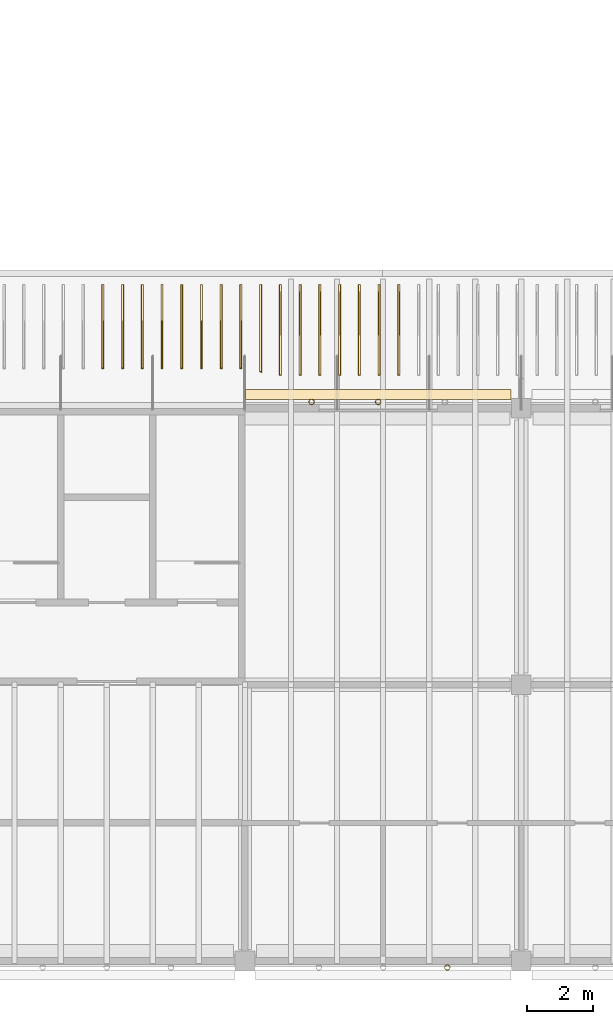
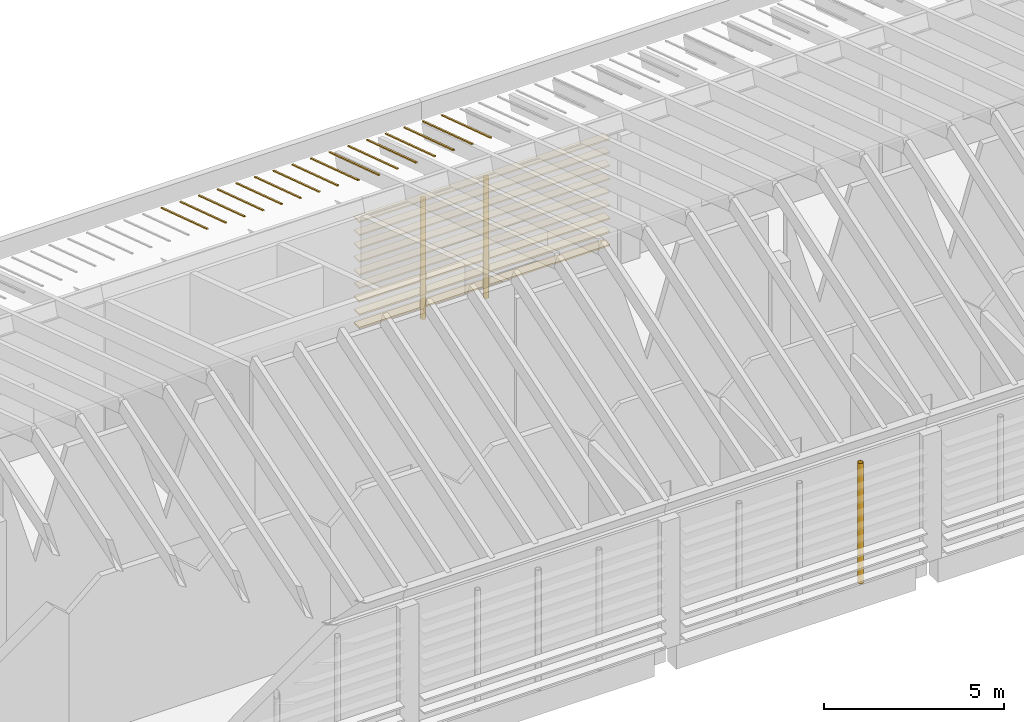
# One storey, part 43 of 59: 25 coverings, 3 shading devices.
"""IFC4 building model written with IfcOpenShell, lengths in metres."""

from ifc_helpers import new_model, si_unit, direction, frame, origin, origin_2d, place, context, subcontext, project, spatial, polyline, rectangle, hollow_circle, outline, extrude, material, layer, layer_set, material_profile, profile_set, type_object, element, save


model = new_model("IFC4")

# Units and contexts
model_context = context("Model", 3, precision=1e-05, world=origin(), true_north=direction((0.0, 1.0)))
body_context = subcontext(model_context, "Body", "Model", "MODEL_VIEW")
ifc_project = project(units=[si_unit("LENGTHUNIT", "METRE"), si_unit("AREAUNIT", "SQUARE_METRE"), si_unit("VOLUMEUNIT", "CUBIC_METRE"), si_unit("PLANEANGLEUNIT", "RADIAN"), si_unit("MASSUNIT", "GRAM", prefix="KILO")], contexts=[model_context])

# Site, building, storey
site_placement = place(None, origin())
site = spatial("IfcSite", under=ifc_project, at=site_placement, CompositionType="ELEMENT")
building_placement = place(site_placement, origin())
building = spatial("IfcBuilding", under=site, at=building_placement, Name="Almond Square Museum", CompositionType="ELEMENT")
storey_placement = place(building_placement, frame((0.0, 0.0, 25.0)))
storey = spatial("IfcBuildingStorey", under=building, at=storey_placement, Name="L04", CompositionType="ELEMENT", Elevation=25.0)

# Shading devices
ifc_material_1 = material(Name="Structural steel S355", Category="steel")
ifc_material_profile_1 = material_profile(ifc_material_1, hollow_circle(Radius=0.084228515625, WallThickness=0.008056640625, at=origin_2d()))
ifc_profile_set_1 = profile_set([ifc_material_profile_1], Name="Structural steel S355")
shading_device_type = type_object("IfcShadingDeviceType", Name="Louvre post CHS 168.3 x 8", PredefinedType="USERDEFINED", material=ifc_profile_set_1)
for number, where, z_axis, x_axis, name in (
    (1, (70.949951171875, -0.194091796875, 0.0), (0.0, 0.0, 1.0), (1.0, 0.0, 0.0), "Louvre screen post"),
    (2, (66.824951171875, 16.994140625, 0.0), (0.0, 0.0, 1.0), (1.0, 0.0, 0.0), "Louvre screen post"),
    (3, (68.85009765625, 16.994140625, 0.0), (0.0, 0.0, 1.0), (1.0, 0.0, 0.0), "Louvre screen post"),
):
    element("IfcShadingDevice", number, at=place(storey_placement, frame(where, z_axis=z_axis, x_axis=x_axis)), inside=storey, type_object=shading_device_type, Name=name, ObjectType="POST", PredefinedType="USERDEFINED", context=body_context, shape_type="SweptSolid", body=[
        extrude(hollow_circle(Radius=0.084228515625, WallThickness=0.008056640625, at=origin_2d()), origin(), (0.0, 0.0, 1.0), 4.08447265625),
    ])

# Coverings
ifc_material_2 = material(Name="Cedar timber louvre board", Category="wood")
ifc_material_profile_2 = material_profile(ifc_material_2, rectangle(XDim=0.300048828125, YDim=0.050048828125, at=origin_2d()))
ifc_profile_set_2 = profile_set([ifc_material_profile_2], Name="Cedar timber louvre board")
covering_type_1 = type_object("IfcCoveringType", Name="Louvre screen board 300 x 50", PredefinedType="CLADDING", material=ifc_profile_set_2)
for number, where, z_axis, x_axis, name in (
    (4, (64.820068359375, 17.224365234375, 0.300048828125), (1.0, 0.0, 0.0), (0.0, 1.0, 0.0), "Louvre screen board"),
    (5, (64.820068359375, 17.224365234375, 0.75), (1.0, 0.0, 0.0), (0.0, 1.0, 0.0), "Louvre screen board"),
    (6, (64.820068359375, 17.224365234375, 1.199951171875), (1.0, 0.0, 0.0), (0.0, 1.0, 0.0), "Louvre screen board"),
    (7, (64.820068359375, 17.224365234375, 1.64990234375), (1.0, 0.0, 0.0), (0.0, 1.0, 0.0), "Louvre screen board"),
    (8, (64.820068359375, 17.224365234375, 2.10009765625), (1.0, 0.0, 0.0), (0.0, 1.0, 0.0), "Louvre screen board"),
    (9, (64.820068359375, 17.224365234375, 2.550048828125), (1.0, 0.0, 0.0), (0.0, 1.0, 0.0), "Louvre screen board"),
    (10, (64.820068359375, 17.224365234375, 3.0), (1.0, 0.0, 0.0), (0.0, 1.0, 0.0), "Louvre screen board"),
    (11, (64.820068359375, 17.224365234375, 3.449951171875), (1.0, 0.0, 0.0), (0.0, 1.0, 0.0), "Louvre screen board"),
    (12, (64.820068359375, 17.224365234375, 3.89990234375), (1.0, 0.0, 0.0), (0.0, 1.0, 0.0), "Louvre screen board"),
):
    element("IfcCovering", number, at=place(storey_placement, frame(where, z_axis=z_axis, x_axis=x_axis)), inside=storey, type_object=covering_type_1, Name=name, PredefinedType="CLADDING", context=body_context, shape_type="SweptSolid", body=[
        extrude(rectangle(XDim=0.300048828125, YDim=0.050048828125, at=origin_2d()), origin(), (0.0, 0.0, 1.0), 8.059814453125),
    ])
ifc_material_3 = material(Name="Zinc standing seam")
ifc_layer = layer(ifc_material_3, 0.0400390625)
ifc_layer_set = layer_set([ifc_layer], Name="Zinc standing seam")
covering_type_2 = type_object("IfcCoveringType", Name="Roof standing seam rib 60 x 40", PredefinedType="CLADDING", material=ifc_layer_set)
for number, where, z_axis, x_axis, name in (
    (13, (60.510009765625, 18.0, 4.610107421875), (0.0, 0.309034600312, 0.951050795599), (0.0, 0.951050795599, -0.309034600312), "Roof standing seam rib"),
    (14, (61.110107421875, 18.0, 4.610107421875), (0.0, 0.309034600312, 0.951050795599), (0.0, 0.951050795599, -0.309034600312), "Roof standing seam rib"),
    (15, (61.7099609375, 18.0, 4.610107421875), (0.0, 0.309034600312, 0.951050795599), (0.0, 0.951050795599, -0.309034600312), "Roof standing seam rib"),
    (16, (62.31005859375, 18.0, 4.610107421875), (0.0, 0.309034600312, 0.951050795599), (0.0, 0.951050795599, -0.309034600312), "Roof standing seam rib"),
):
    element("IfcCovering", number, at=place(storey_placement, frame(where, z_axis=z_axis, x_axis=x_axis)), inside=storey, type_object=covering_type_2, Name=name, PredefinedType="CLADDING", context=body_context, shape_type="SweptSolid", body=[
        extrude(outline(polyline([(0.0, 0.0), (2.6812961409895735, 0.0), (2.6812961409895735, 0.060058593750000014), (0.0, 0.060058593750000014), (0.0, 0.0)])), origin(), (0.0, 0.0, 1.0), 0.0400390625),
    ])
covering_1_placement = place(storey_placement, frame((62.909912109375, 18.0, 4.610107421875), z_axis=(0.0, 0.309034600312, 0.951050795599), x_axis=(0.0, 0.951050795599, -0.309034600312)))
element("IfcCovering", 17, at=covering_1_placement, inside=storey, type_object=covering_type_2, Name="Roof standing seam rib", PredefinedType="CLADDING", context=body_context, shape_type="SweptSolid", body=[
    extrude(outline(polyline([(0.0, 0.0), (2.6812961409895735, 0.0), (2.6812961409895735, 0.059814453125), (0.0, 0.059814453125), (0.0, 0.0)])), origin(), (0.0, 0.0, 1.0), 0.0400390625),
])
for number, where, z_axis, x_axis, name in (
    (18, (63.510009765625, 18.0, 4.610107421875), (0.0, 0.309034600312, 0.951050795599), (0.0, 0.951050795599, -0.309034600312), "Roof standing seam rib"),
    (19, (64.110107421875, 18.0, 4.610107421875), (0.0, 0.309034600312, 0.951050795599), (0.0, 0.951050795599, -0.309034600312), "Roof standing seam rib"),
    (20, (64.7099609375, 18.0, 4.610107421875), (0.0, 0.309034600312, 0.951050795599), (0.0, 0.951050795599, -0.309034600312), "Roof standing seam rib"),
):
    element("IfcCovering", number, at=place(storey_placement, frame(where, z_axis=z_axis, x_axis=x_axis)), inside=storey, type_object=covering_type_2, Name=name, PredefinedType="CLADDING", context=body_context, shape_type="SweptSolid", body=[
        extrude(outline(polyline([(0.0, 0.0), (2.6812961409895735, 0.0), (2.6812961409895735, 0.060058593750000014), (0.0, 0.060058593750000014), (0.0, 0.0)])), origin(), (0.0, 0.0, 1.0), 0.0400390625),
    ])
covering_2_placement = place(storey_placement, frame((65.31005859375, 20.550048828125, 3.781494140625), z_axis=(-0.000541384779, 0.309047418662, 0.951046476215), x_axis=(-0.999999853451, -0.000167313593, -0.000514882161)))
element("IfcCovering", 21, at=covering_2_placement, inside=storey, type_object=covering_type_2, Name="Roof standing seam rib", PredefinedType="CLADDING", context=body_context, shape_type="SweptSolid", body=[
    extrude(outline(polyline([(0.0, 0.0), (0.06005858494848816, 0.0), (0.060058602551513136, 2.773711993990088), (-1.760302497549101e-08, 2.802741052517401), (0.0, 0.0)])), origin(), (0.0, 0.0, 1.0), 0.0400390625),
])
covering_3_placement = place(storey_placement, frame((65.85009765625, 20.550048828125, 3.781494140625), z_axis=(0.0, 0.309024978252, 0.951053922139), x_axis=(0.0, -0.951053922139, 0.309024978252)))
element("IfcCovering", 22, at=covering_3_placement, inside=storey, type_object=covering_type_2, Name="Roof standing seam rib", PredefinedType="CLADDING", context=body_context, shape_type="SweptSolid", body=[
    extrude(outline(polyline([(0.0, 0.0), (2.891529003754454, 0.0), (2.891529003754454, 0.059814453125), (0.0, 0.059814453125), (0.0, 0.0)])), origin(), (0.0, 0.0, 1.0), 0.0400390625),
])
for number, where, z_axis, x_axis, name in (
    (23, (66.449951171875, 17.800048828125, 4.675048828125), (0.0, 0.309024978252, 0.951053922139), (1.0, 0.0, 0.0), "Roof standing seam rib"),
    (24, (67.050048828125, 17.800048828125, 4.675048828125), (0.0, 0.309024978252, 0.951053922139), (1.0, 0.0, 0.0), "Roof standing seam rib"),
    (25, (67.64990234375, 17.800048828125, 4.675048828125), (0.0, 0.309024978252, 0.951053922139), (1.0, 0.0, 0.0), "Roof standing seam rib"),
    (26, (68.25, 17.800048828125, 4.675048828125), (0.0, 0.309024978252, 0.951053922139), (1.0, 0.0, 0.0), "Roof standing seam rib"),
):
    element("IfcCovering", number, at=place(storey_placement, frame(where, z_axis=z_axis, x_axis=x_axis)), inside=storey, type_object=covering_type_2, Name=name, PredefinedType="CLADDING", context=body_context, shape_type="SweptSolid", body=[
        extrude(outline(polyline([(0.0, 0.0), (0.06005859375, 0.0), (0.06005859375, 2.891529003754454), (0.0, 2.891529003754454), (0.0, 0.0)])), origin(), (0.0, 0.0, 1.0), 0.0400390625),
    ])
covering_4_placement = place(storey_placement, frame((68.85009765625, 17.800048828125, 4.675048828125), z_axis=(0.0, 0.309024978252, 0.951053922139), x_axis=(1.0, 0.0, 0.0)))
element("IfcCovering", 27, at=covering_4_placement, inside=storey, type_object=covering_type_2, Name="Roof standing seam rib", PredefinedType="CLADDING", context=body_context, shape_type="SweptSolid", body=[
    extrude(outline(polyline([(0.0, 0.0), (0.059814453125, 0.0), (0.059814453125, 2.8915290037544534), (0.0, 2.8915290037544534), (0.0, 0.0)])), origin(), (0.0, 0.0, 1.0), 0.0400390625),
])
covering_5_placement = place(storey_placement, frame((69.449951171875, 17.800048828125, 4.675048828125), z_axis=(0.0, 0.309024978252, 0.951053922139), x_axis=(1.0, 0.0, 0.0)))
element("IfcCovering", 28, at=covering_5_placement, inside=storey, type_object=covering_type_2, Name="Roof standing seam rib", PredefinedType="CLADDING", context=body_context, shape_type="SweptSolid", body=[
    extrude(outline(polyline([(0.0, 0.0), (0.06005859375, 0.0), (0.06005859375, 2.891529003754454), (0.0, 2.891529003754454), (0.0, 0.0)])), origin(), (0.0, 0.0, 1.0), 0.0400390625),
])

save(model, "model.ifc")
